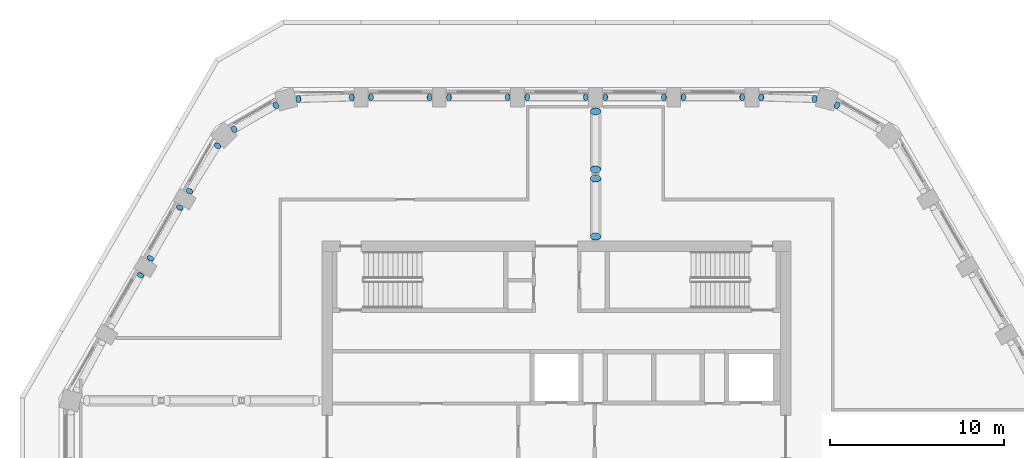
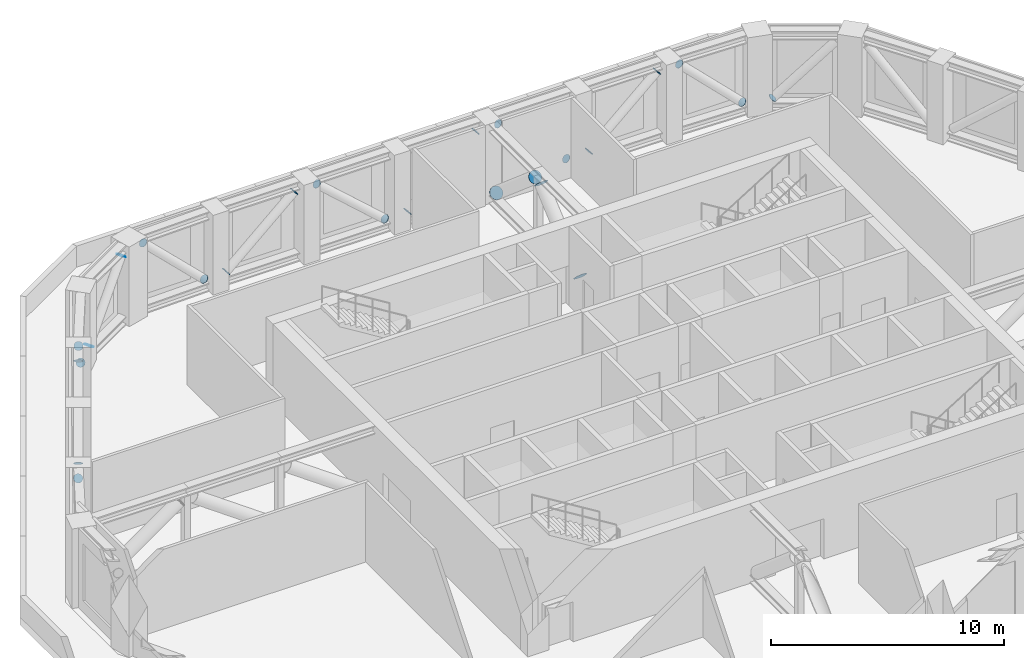
# One storey, part 13 of 15: 26 discrete accessories.
"""IFC4 building model written with IfcOpenShell, lengths in metres."""

from ifc_helpers import new_model, si_unit, direction, frame, origin, origin_2d, place, context, subcontext, project, spatial, circle, extrude, material, material_profile, profile_set, type_object, element, save


model = new_model("IFC4")

# Units and contexts
model_context = context("Model", 3, precision=1e-05, world=origin(), true_north=direction((0.0, 1.0)))
body_context = subcontext(model_context, "Body", "Model", "MODEL_VIEW")
ifc_project = project(units=[si_unit("LENGTHUNIT", "METRE"), si_unit("AREAUNIT", "SQUARE_METRE"), si_unit("VOLUMEUNIT", "CUBIC_METRE"), si_unit("PLANEANGLEUNIT", "RADIAN"), si_unit("MASSUNIT", "GRAM", prefix="KILO")], contexts=[model_context])

# Site, building, storey
site_placement = place(None, origin())
site = spatial("IfcSite", under=ifc_project, at=site_placement, CompositionType="ELEMENT")
building_placement = place(site_placement, origin())
building = spatial("IfcBuilding", under=site, at=building_placement, Name="Dhurran Vertical Campus", CompositionType="ELEMENT")
storey_placement = place(building_placement, frame((0.0, 0.0, 230.699951171875)))
storey = spatial("IfcBuildingStorey", under=building, at=storey_placement, Name="L57 Plant", CompositionType="ELEMENT", Elevation=230.699951171875)

# Discrete accessories
ifc_material_1 = material(Name="Steel S355J2", Category="steel")
ifc_material_profile_1 = material_profile(ifc_material_1, circle(Radius=0.203125, at=origin_2d()), Name="Tube end cap 406 x 20")
ifc_profile_set_1 = profile_set([ifc_material_profile_1], Name="Steel S355J2")
discrete_accessory_type_1 = type_object("IfcDiscreteAccessoryType", Name="Tube end cap 406 x 20", PredefinedType="USERDEFINED", material=ifc_profile_set_1)
discrete_accessory_1_placement = place(storey_placement, frame((16.169921875, 19.068115234375, 0.571533203125), z_axis=(-0.589367574947, 0.331519260908, -0.736709468684), x_axis=(-0.490261239633, -0.871575537125, 0.0)))
element("IfcDiscreteAccessory", 1, at=discrete_accessory_1_placement, inside=storey, type_object=discrete_accessory_type_1, Name="EC1 belt L57 d17 capA", ObjectType="END CAP", PredefinedType="USERDEFINED", context=body_context, shape_type="SweptSolid", body=[
    extrude(circle(Radius=0.203125, at=origin_2d()), origin(), (0.0, 0.0, 1.0), 0.019775390625),
])
for number, where, z_axis, x_axis, name in (
    (2, (14.857421875, 19.435302734375, 0.579833984375), (0.706896676656, -0.024375747471, -0.706896676656), (0.03446227584, 0.999405999354, 0.0), "EC1 belt L57 d18 capA"),
    (3, (11.796875, 19.522705078125, 3.59521484375), (-0.706896676656, 0.024375747471, 0.706896676656), (-0.03446227584, -0.999405999354, 0.0), "EC1 belt L57 d18 capB"),
    (4, (7.319580078125, 19.53857421875, 0.586669921875), (-0.742688444175, 0.0, -0.669637121797), (0.0, -1.0, 0.0), "EC1 belt L57 d19 capA"),
):
    element("IfcDiscreteAccessory", number, at=place(storey_placement, frame(where, z_axis=z_axis, x_axis=x_axis)), inside=storey, type_object=discrete_accessory_type_1, Name=name, ObjectType="END CAP", PredefinedType="USERDEFINED", context=body_context, shape_type="SweptSolid", body=[
        extrude(circle(Radius=0.203125, at=origin_2d()), origin(), (0.0, 0.0, 1.0), 0.02001953125),
    ])
discrete_accessory_2_placement = place(storey_placement, frame((10.680419921875, 19.53857421875, 3.588623046875), z_axis=(0.748762225055, 0.0, 0.662838691033), x_axis=(0.0, 1.0, 0.0)))
element("IfcDiscreteAccessory", 5, at=discrete_accessory_2_placement, inside=storey, type_object=discrete_accessory_type_1, Name="EC1 belt L57 d19 capB", ObjectType="END CAP", PredefinedType="USERDEFINED", context=body_context, shape_type="SweptSolid", body=[
    extrude(circle(Radius=0.203125, at=origin_2d()), origin(), (0.0, 0.0, 1.0), 0.019775390625),
])
discrete_accessory_3_placement = place(storey_placement, frame((6.180419921875, 19.53857421875, 0.586669921875), z_axis=(0.742688444175, 0.0, -0.669637121797), x_axis=(0.0, 1.0, 0.0)))
element("IfcDiscreteAccessory", 6, at=discrete_accessory_3_placement, inside=storey, type_object=discrete_accessory_type_1, Name="EC1 belt L57 d20 capA", ObjectType="END CAP", PredefinedType="USERDEFINED", context=body_context, shape_type="SweptSolid", body=[
    extrude(circle(Radius=0.203125, at=origin_2d()), origin(), (0.0, 0.0, 1.0), 0.02001953125),
])
discrete_accessory_4_placement = place(storey_placement, frame((2.819580078125, 19.53857421875, 3.588623046875), z_axis=(-0.748762225055, 0.0, 0.662838691033), x_axis=(0.0, -1.0, 0.0)))
element("IfcDiscreteAccessory", 7, at=discrete_accessory_4_placement, inside=storey, type_object=discrete_accessory_type_1, Name="EC1 belt L57 d20 capB", ObjectType="END CAP", PredefinedType="USERDEFINED", context=body_context, shape_type="SweptSolid", body=[
    extrude(circle(Radius=0.203125, at=origin_2d()), origin(), (0.0, 0.0, 1.0), 0.019775390625),
])
discrete_accessory_5_placement = place(storey_placement, frame((-1.680419921875, 19.53857421875, 0.586669921875), z_axis=(-0.742688444175, 0.0, -0.669637121797), x_axis=(0.0, -1.0, 0.0)))
element("IfcDiscreteAccessory", 8, at=discrete_accessory_5_placement, inside=storey, type_object=discrete_accessory_type_1, Name="EC1 belt L57 d21 capA", ObjectType="END CAP", PredefinedType="USERDEFINED", context=body_context, shape_type="SweptSolid", body=[
    extrude(circle(Radius=0.203125, at=origin_2d()), origin(), (0.0, 0.0, 1.0), 0.02001953125),
])
discrete_accessory_6_placement = place(storey_placement, frame((1.680419921875, 19.53857421875, 3.588623046875), z_axis=(0.748762225055, 0.0, 0.662838691033), x_axis=(0.0, 1.0, 0.0)))
element("IfcDiscreteAccessory", 9, at=discrete_accessory_6_placement, inside=storey, type_object=discrete_accessory_type_1, Name="EC1 belt L57 d21 capB", ObjectType="END CAP", PredefinedType="USERDEFINED", context=body_context, shape_type="SweptSolid", body=[
    extrude(circle(Radius=0.203125, at=origin_2d()), origin(), (0.0, 0.0, 1.0), 0.019775390625),
])
discrete_accessory_7_placement = place(storey_placement, frame((-2.819580078125, 19.53857421875, 0.586669921875), z_axis=(0.742688444175, 0.0, -0.669637121797), x_axis=(0.0, 1.0, 0.0)))
element("IfcDiscreteAccessory", 10, at=discrete_accessory_7_placement, inside=storey, type_object=discrete_accessory_type_1, Name="EC1 belt L57 d22 capA", ObjectType="END CAP", PredefinedType="USERDEFINED", context=body_context, shape_type="SweptSolid", body=[
    extrude(circle(Radius=0.203125, at=origin_2d()), origin(), (0.0, 0.0, 1.0), 0.02001953125),
])
discrete_accessory_8_placement = place(storey_placement, frame((-6.180419921875, 19.53857421875, 3.588623046875), z_axis=(-0.748762225055, 0.0, 0.662838691033), x_axis=(0.0, -1.0, 0.0)))
element("IfcDiscreteAccessory", 11, at=discrete_accessory_8_placement, inside=storey, type_object=discrete_accessory_type_1, Name="EC1 belt L57 d22 capB", ObjectType="END CAP", PredefinedType="USERDEFINED", context=body_context, shape_type="SweptSolid", body=[
    extrude(circle(Radius=0.203125, at=origin_2d()), origin(), (0.0, 0.0, 1.0), 0.019775390625),
])
discrete_accessory_9_placement = place(storey_placement, frame((-10.680419921875, 19.53857421875, 0.586669921875), z_axis=(-0.742688444175, 0.0, -0.669637121797), x_axis=(0.0, -1.0, 0.0)))
element("IfcDiscreteAccessory", 12, at=discrete_accessory_9_placement, inside=storey, type_object=discrete_accessory_type_1, Name="EC1 belt L57 d23 capA", ObjectType="END CAP", PredefinedType="USERDEFINED", context=body_context, shape_type="SweptSolid", body=[
    extrude(circle(Radius=0.203125, at=origin_2d()), origin(), (0.0, 0.0, 1.0), 0.02001953125),
])
discrete_accessory_10_placement = place(storey_placement, frame((-7.319580078125, 19.53857421875, 3.588623046875), z_axis=(0.748762225055, 0.0, 0.662838691033), x_axis=(0.0, 1.0, 0.0)))
element("IfcDiscreteAccessory", 13, at=discrete_accessory_10_placement, inside=storey, type_object=discrete_accessory_type_1, Name="EC1 belt L57 d23 capB", ObjectType="END CAP", PredefinedType="USERDEFINED", context=body_context, shape_type="SweptSolid", body=[
    extrude(circle(Radius=0.203125, at=origin_2d()), origin(), (0.0, 0.0, 1.0), 0.019775390625),
])
for number, where, z_axis, x_axis, name in (
    (14, (-11.796875, 19.522705078125, 0.579833984375), (0.706896676656, 0.024375747471, -0.706896676656), (-0.03446227584, 0.999405999354, 0.0), "EC1 belt L57 d24 capA"),
    (15, (-14.857421875, 19.435302734375, 3.59521484375), (-0.706896676656, -0.024375747471, 0.706896676656), (0.03446227584, -0.999405999354, 0.0), "EC1 belt L57 d24 capB"),
):
    element("IfcDiscreteAccessory", number, at=place(storey_placement, frame(where, z_axis=z_axis, x_axis=x_axis)), inside=storey, type_object=discrete_accessory_type_1, Name=name, ObjectType="END CAP", PredefinedType="USERDEFINED", context=body_context, shape_type="SweptSolid", body=[
        extrude(circle(Radius=0.203125, at=origin_2d()), origin(), (0.0, 0.0, 1.0), 0.02001953125),
    ])
for number, where, z_axis, x_axis, name in (
    (16, (-18.553466796875, 17.69189453125, 0.571533203125), (-0.589367574947, -0.331519260908, -0.736709468684), (0.490261239633, -0.871575537125, 0.0), "EC1 belt L57 d25 capA"),
    (17, (-16.169921875, 19.068115234375, 3.603515625), (0.589367574947, 0.331519260908, 0.736709468684), (-0.490261239633, 0.871575537125, 0.0), "EC1 belt L57 d25 capB"),
):
    element("IfcDiscreteAccessory", number, at=place(storey_placement, frame(where, z_axis=z_axis, x_axis=x_axis)), inside=storey, type_object=discrete_accessory_type_1, Name=name, ObjectType="END CAP", PredefinedType="USERDEFINED", context=body_context, shape_type="SweptSolid", body=[
        extrude(circle(Radius=0.203125, at=origin_2d()), origin(), (0.0, 0.0, 1.0), 0.019775390625),
    ])
for number, where, z_axis, x_axis, name in (
    (18, (-19.527587890625, 16.739013671875, 0.579833984375), (0.367469397963, 0.600200016674, -0.710440836063), (-0.852851304076, 0.522153859639, 0.0), "EC1 belt L57 d26 capA"),
    (19, (-21.1337890625, 14.132080078125, 3.59521484375), (-0.367469397963, -0.600200016674, 0.710440836063), (0.852851304076, -0.522153859639, 0.0), "EC1 belt L57 d26 capB"),
    (20, (-23.385986328125, 10.262451171875, 0.586669921875), (-0.365581911, -0.645861376099, -0.670233503499), (0.870256855071, -0.492598219852, 0.0), "EC1 belt L57 d27 capA"),
):
    element("IfcDiscreteAccessory", number, at=place(storey_placement, frame(where, z_axis=z_axis, x_axis=x_axis)), inside=storey, type_object=discrete_accessory_type_1, Name=name, ObjectType="END CAP", PredefinedType="USERDEFINED", context=body_context, shape_type="SweptSolid", body=[
        extrude(circle(Radius=0.203125, at=origin_2d()), origin(), (0.0, 0.0, 1.0), 0.02001953125),
    ])
discrete_accessory_11_placement = place(storey_placement, frame((-21.70556640625, 13.173095703125, 3.588623046875), z_axis=(0.371533053464, 0.643990626003, 0.668759496234), x_axis=(-0.866185586049, 0.49972245349, 0.0)))
element("IfcDiscreteAccessory", 21, at=discrete_accessory_11_placement, inside=storey, type_object=discrete_accessory_type_1, Name="EC1 belt L57 d27 capB", ObjectType="END CAP", PredefinedType="USERDEFINED", context=body_context, shape_type="SweptSolid", body=[
    extrude(circle(Radius=0.203125, at=origin_2d()), origin(), (0.0, 0.0, 1.0), 0.019775390625),
])
discrete_accessory_12_placement = place(storey_placement, frame((-23.95556640625, 9.27587890625, 0.586669921875), z_axis=(0.365581911, 0.645861376099, -0.670233503499), x_axis=(-0.870256855071, 0.492598219852, 0.0)))
element("IfcDiscreteAccessory", 22, at=discrete_accessory_12_placement, inside=storey, type_object=discrete_accessory_type_1, Name="EC1 belt L57 d28 capA", ObjectType="END CAP", PredefinedType="USERDEFINED", context=body_context, shape_type="SweptSolid", body=[
    extrude(circle(Radius=0.203125, at=origin_2d()), origin(), (0.0, 0.0, 1.0), 0.02001953125),
])
ifc_material_2 = material(Name="Steel S355J2", Category="steel")
ifc_material_profile_2 = material_profile(ifc_material_2, circle(Radius=0.304931640625, at=origin_2d()), Name="Tube end cap 610 x 20")
ifc_profile_set_2 = profile_set([ifc_material_profile_2], Name="Steel S355J2")
discrete_accessory_type_2 = type_object("IfcDiscreteAccessoryType", Name="Tube end cap 610 x 20", PredefinedType="USERDEFINED", material=ifc_profile_set_2)
discrete_accessory_13_placement = place(storey_placement, frame((2.25, 11.521484375, 0.6669921875), z_axis=(0.0, -0.760121344352, -0.649781149204), x_axis=(1.0, 0.0, 0.0)))
element("IfcDiscreteAccessory", 23, at=discrete_accessory_13_placement, inside=storey, type_object=discrete_accessory_type_2, Name="EC1 outrigger L57 OR-N d0 capA", ObjectType="END CAP", PredefinedType="USERDEFINED", context=body_context, shape_type="SweptSolid", body=[
    extrude(circle(Radius=0.304931640625, at=origin_2d()), origin(), (0.0, 0.0, 1.0), 0.02001953125),
])
discrete_accessory_14_placement = place(storey_placement, frame((2.25, 14.84765625, 3.508056640625), z_axis=(0.0, 0.759256602365, 0.650791373456), x_axis=(-1.0, 0.0, 0.0)))
element("IfcDiscreteAccessory", 24, at=discrete_accessory_14_placement, inside=storey, type_object=discrete_accessory_type_2, Name="EC1 outrigger L57 OR-N d0 capB", ObjectType="END CAP", PredefinedType="USERDEFINED", context=body_context, shape_type="SweptSolid", body=[
    extrude(circle(Radius=0.304931640625, at=origin_2d()), origin(), (0.0, 0.0, 1.0), 0.020263671875),
])
discrete_accessory_15_placement = place(storey_placement, frame((2.25, 18.717041015625, 0.6669921875), z_axis=(0.0, 0.760121344352, -0.649781149204), x_axis=(-1.0, 0.0, 0.0)))
element("IfcDiscreteAccessory", 25, at=discrete_accessory_15_placement, inside=storey, type_object=discrete_accessory_type_2, Name="EC1 outrigger L57 OR-N d1 capA", ObjectType="END CAP", PredefinedType="USERDEFINED", context=body_context, shape_type="SweptSolid", body=[
    extrude(circle(Radius=0.304931640625, at=origin_2d()), origin(), (0.0, 0.0, 1.0), 0.02001953125),
])
discrete_accessory_16_placement = place(storey_placement, frame((2.25, 15.390869140625, 3.508056640625), z_axis=(0.0, -0.759256602365, 0.650791373456), x_axis=(1.0, 0.0, 0.0)))
element("IfcDiscreteAccessory", 26, at=discrete_accessory_16_placement, inside=storey, type_object=discrete_accessory_type_2, Name="EC1 outrigger L57 OR-N d1 capB", ObjectType="END CAP", PredefinedType="USERDEFINED", context=body_context, shape_type="SweptSolid", body=[
    extrude(circle(Radius=0.304931640625, at=origin_2d()), origin(), (0.0, 0.0, 1.0), 0.020263671875),
])

save(model, "model.ifc")
